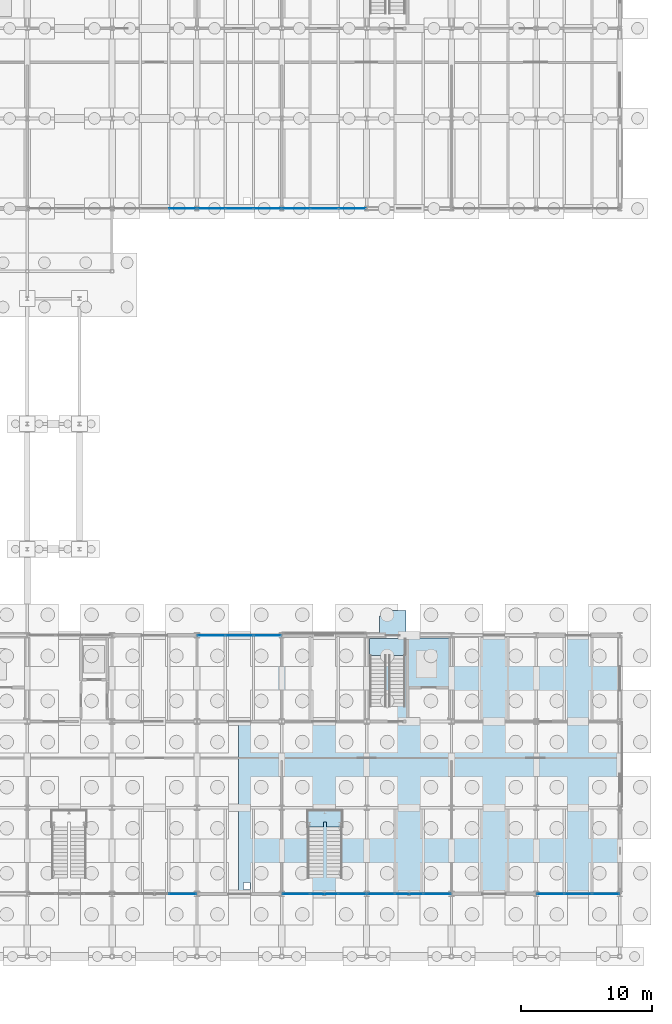
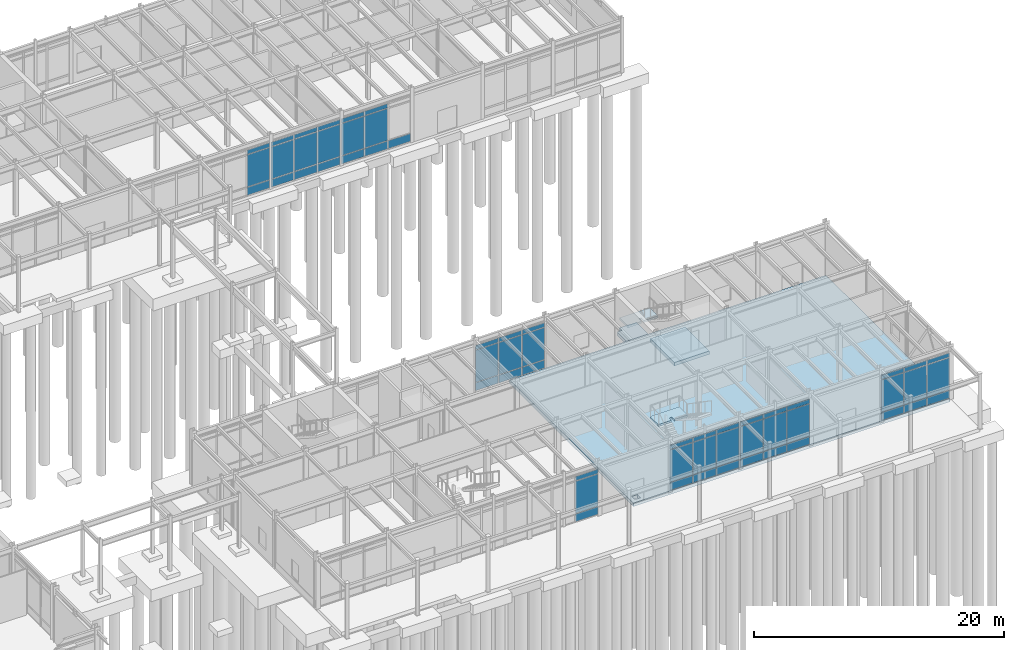
# One storey, part 53 of 82: 58 plates, 5 slabs, 10 elements without a shape of their own.
"""IFC4 building model written with IfcOpenShell, lengths in metres."""

from ifc_helpers import new_model, si_unit, direction, frame, origin, origin_2d, place, context, subcontext, project, spatial, polyline, rectangle, outline, extrude, material, layer, layer_set, type_object, element, aggregate, save


model = new_model("IFC4")

# Units and contexts
model_context = context("Model", 3, precision=1e-05, world=origin(), true_north=direction((0.0, 1.0)))
body_context = subcontext(model_context, "Body", "Model", "MODEL_VIEW")
ifc_project = project(units=[si_unit("LENGTHUNIT", "METRE"), si_unit("AREAUNIT", "SQUARE_METRE"), si_unit("VOLUMEUNIT", "CUBIC_METRE"), si_unit("PLANEANGLEUNIT", "RADIAN"), si_unit("MASSUNIT", "GRAM", prefix="KILO")], contexts=[model_context])

# Site, building, storey
site_placement = place(None, origin())
site = spatial("IfcSite", under=ifc_project, at=site_placement, CompositionType="ELEMENT")
building_placement = place(site_placement, origin())
building = spatial("IfcBuilding", under=site, at=building_placement, Name="Trelmorton Wharf Fire Station", CompositionType="ELEMENT")
storey_placement = place(building_placement, origin())
storey = spatial("IfcBuildingStorey", under=building, at=storey_placement, Name="L00", CompositionType="ELEMENT", Elevation=0.0)

# Curtain wall, plates
ifc_material_1 = material(Name="Anodised aluminium AW-6063", Category="aluminium")
ifc_layer_1 = layer(ifc_material_1, 0.175048828125)
ifc_layer_set_1 = layer_set([ifc_layer_1], Name="Anodised aluminium AW-6063")
curtain_wall_type_1 = type_object("IfcCurtainWallType", Name="CW_CHIC_B", PredefinedType="USERDEFINED", material=ifc_layer_set_1)
curtain_wall_1_placement = place(storey_placement, origin())
curtain_wall_1 = element("IfcCurtainWall", 1, at=curtain_wall_1_placement, inside=storey, type_object=curtain_wall_type_1, Name="CW-V5-L00-031", ObjectType="CHICAGO BAY CURTAIN WALL", PredefinedType="USERDEFINED")
ifc_material_2 = material(Name="Tempered low-E double glazing", Category="glass")
ifc_layer_2 = layer(ifc_material_2, 0.028076171875)
ifc_layer_set_2 = layer_set([ifc_layer_2], Name="Tempered low-E double glazing")
plate_type_1 = type_object("IfcPlateType", Name="CWP_GLAZ_28", PredefinedType="CURTAIN_PANEL", material=ifc_layer_set_2)
plate_1_placement = place(storey_placement, frame((128.8984375, 7.800048828125, 0.06005859375), z_axis=(0.0, 0.0, 1.0), x_axis=(-1.0, 0.0, 0.0)))
plate_1 = element("IfcPlate", 2, at=plate_1_placement, type_object=plate_type_1, Name="CW2 panel 1.1", PredefinedType="CURTAIN_PANEL", context=body_context, shape_type="SweptSolid", body=[
    extrude(rectangle(XDim=2.0732421875, YDim=0.028076171875, at=origin_2d()), origin(), (0.0, 0.0, 1.0), 0.760009765625),
])
plate_2_placement = place(storey_placement, frame((128.8984375, 7.800048828125, 0.8798828125), z_axis=(0.0, 0.0, 1.0), x_axis=(-1.0, 0.0, 0.0)))
plate_2 = element("IfcPlate", 3, at=plate_2_placement, type_object=plate_type_1, Name="CW2 panel 1.2", PredefinedType="CURTAIN_PANEL", context=body_context, shape_type="SweptSolid", body=[
    extrude(rectangle(XDim=2.0732421875, YDim=0.028076171875, at=origin_2d()), origin(), (0.0, 0.0, 1.0), 3.110107421875),
])
plate_3_placement = place(storey_placement, frame((128.8984375, 7.800048828125, 4.0498046875), z_axis=(0.0, 0.0, 1.0), x_axis=(-1.0, 0.0, 0.0)))
plate_3 = element("IfcPlate", 4, at=plate_3_placement, type_object=plate_type_1, Name="CW2 panel 1.3", PredefinedType="CURTAIN_PANEL", context=body_context, shape_type="SweptSolid", body=[
    extrude(rectangle(XDim=2.0732421875, YDim=0.028076171875, at=origin_2d()), origin(), (0.0, 0.0, 1.0), 0.409912109375),
])
aggregate(curtain_wall_1, [plate_1, plate_2, plate_3])

curtain_wall_2_placement = place(storey_placement, origin())
curtain_wall_2 = element("IfcCurtainWall", 5, at=curtain_wall_2_placement, inside=storey, type_object=curtain_wall_type_1, Name="CW-V5-L00-032", ObjectType="CHICAGO BAY CURTAIN WALL", PredefinedType="USERDEFINED")
plate_4_placement = place(storey_placement, frame((141.8984375, 7.800048828125, 0.06005859375), z_axis=(0.0, 0.0, 1.0), x_axis=(-1.0, 0.0, 0.0)))
plate_4 = element("IfcPlate", 6, at=plate_4_placement, type_object=plate_type_1, Name="CW2 panel 1.1", PredefinedType="CURTAIN_PANEL", context=body_context, shape_type="SweptSolid", body=[
    extrude(rectangle(XDim=2.0732421875, YDim=0.028076171875, at=origin_2d()), origin(), (0.0, 0.0, 1.0), 0.760009765625),
])
plate_5_placement = place(storey_placement, frame((141.8984375, 7.800048828125, 0.8798828125), z_axis=(0.0, 0.0, 1.0), x_axis=(-1.0, 0.0, 0.0)))
plate_5 = element("IfcPlate", 7, at=plate_5_placement, type_object=plate_type_1, Name="CW2 panel 1.2", PredefinedType="CURTAIN_PANEL", context=body_context, shape_type="SweptSolid", body=[
    extrude(rectangle(XDim=2.0732421875, YDim=0.028076171875, at=origin_2d()), origin(), (0.0, 0.0, 1.0), 3.110107421875),
])
plate_6_placement = place(storey_placement, frame((141.8984375, 7.800048828125, 4.0498046875), z_axis=(0.0, 0.0, 1.0), x_axis=(-1.0, 0.0, 0.0)))
plate_6 = element("IfcPlate", 8, at=plate_6_placement, type_object=plate_type_1, Name="CW2 panel 1.3", PredefinedType="CURTAIN_PANEL", context=body_context, shape_type="SweptSolid", body=[
    extrude(rectangle(XDim=2.0732421875, YDim=0.028076171875, at=origin_2d()), origin(), (0.0, 0.0, 1.0), 0.409912109375),
])
plate_7_placement = place(storey_placement, frame((139.75, 7.800048828125, 0.06005859375), z_axis=(0.0, 0.0, 1.0), x_axis=(-1.0, 0.0, 0.0)))
plate_7 = element("IfcPlate", 9, at=plate_7_placement, type_object=plate_type_1, Name="CW2 panel 2.1", PredefinedType="CURTAIN_PANEL", context=body_context, shape_type="SweptSolid", body=[
    extrude(rectangle(XDim=2.103271484375, YDim=0.028076171875, at=origin_2d()), origin(), (0.0, 0.0, 1.0), 0.760009765625),
])
plate_8_placement = place(storey_placement, frame((139.75, 7.800048828125, 0.8798828125), z_axis=(0.0, 0.0, 1.0), x_axis=(-1.0, 0.0, 0.0)))
plate_8 = element("IfcPlate", 10, at=plate_8_placement, type_object=plate_type_1, Name="CW2 panel 2.2", PredefinedType="CURTAIN_PANEL", context=body_context, shape_type="SweptSolid", body=[
    extrude(rectangle(XDim=2.103271484375, YDim=0.028076171875, at=origin_2d()), origin(), (0.0, 0.0, 1.0), 3.110107421875),
])
plate_9_placement = place(storey_placement, frame((139.75, 7.800048828125, 4.0498046875), z_axis=(0.0, 0.0, 1.0), x_axis=(-1.0, 0.0, 0.0)))
plate_9 = element("IfcPlate", 11, at=plate_9_placement, type_object=plate_type_1, Name="CW2 panel 2.3", PredefinedType="CURTAIN_PANEL", context=body_context, shape_type="SweptSolid", body=[
    extrude(rectangle(XDim=2.103271484375, YDim=0.028076171875, at=origin_2d()), origin(), (0.0, 0.0, 1.0), 0.409912109375),
])
plate_10_placement = place(storey_placement, frame((137.6015625, 7.800048828125, 0.06005859375), z_axis=(0.0, 0.0, 1.0), x_axis=(-1.0, 0.0, 0.0)))
plate_10 = element("IfcPlate", 12, at=plate_10_placement, type_object=plate_type_1, Name="CW2 panel 3.1", PredefinedType="CURTAIN_PANEL", context=body_context, shape_type="SweptSolid", body=[
    extrude(rectangle(XDim=2.0732421875, YDim=0.028076171875, at=origin_2d()), origin(), (0.0, 0.0, 1.0), 0.760009765625),
])
plate_11_placement = place(storey_placement, frame((137.6015625, 7.800048828125, 0.8798828125), z_axis=(0.0, 0.0, 1.0), x_axis=(-1.0, 0.0, 0.0)))
plate_11 = element("IfcPlate", 13, at=plate_11_placement, type_object=plate_type_1, Name="CW2 panel 3.2", PredefinedType="CURTAIN_PANEL", context=body_context, shape_type="SweptSolid", body=[
    extrude(rectangle(XDim=2.0732421875, YDim=0.028076171875, at=origin_2d()), origin(), (0.0, 0.0, 1.0), 3.110107421875),
])
plate_12_placement = place(storey_placement, frame((137.6015625, 7.800048828125, 4.0498046875), z_axis=(0.0, 0.0, 1.0), x_axis=(-1.0, 0.0, 0.0)))
plate_12 = element("IfcPlate", 14, at=plate_12_placement, type_object=plate_type_1, Name="CW2 panel 3.3", PredefinedType="CURTAIN_PANEL", context=body_context, shape_type="SweptSolid", body=[
    extrude(rectangle(XDim=2.0732421875, YDim=0.028076171875, at=origin_2d()), origin(), (0.0, 0.0, 1.0), 0.409912109375),
])
aggregate(curtain_wall_2, [plate_4, plate_5, plate_6, plate_7, plate_8, plate_9, plate_10, plate_11, plate_12])

ifc_layer_3 = layer(ifc_material_1, 0.159912109375)
ifc_layer_set_3 = layer_set([ifc_layer_3], Name="Anodised aluminium AW-6063")
curtain_wall_type_2 = type_object("IfcCurtainWallType", Name="CW_CHIC_A", PredefinedType="USERDEFINED", material=ifc_layer_set_3)
curtain_wall_3_placement = place(storey_placement, origin())
curtain_wall_3 = element("IfcCurtainWall", 15, at=curtain_wall_3_placement, inside=storey, type_object=curtain_wall_type_2, Name="CW-V5-L00-034", ObjectType="CHICAGO BAY CURTAIN WALL", PredefinedType="USERDEFINED")
plate_13_placement = place(storey_placement, frame((161.31494140625, 7.800048828125, 0.06005859375), z_axis=(0.0, 0.0, 1.0), x_axis=(-1.0, 0.0, 0.0)))
plate_13 = element("IfcPlate", 16, at=plate_13_placement, type_object=plate_type_1, Name="CW1 panel 1.1", PredefinedType="CURTAIN_PANEL", context=body_context, shape_type="SweptSolid", body=[
    extrude(rectangle(XDim=2.0400390625, YDim=0.028076171875, at=origin_2d()), origin(), (0.0, 0.0, 1.0), 0.760009765625),
])
plate_14_placement = place(storey_placement, frame((161.31494140625, 7.800048828125, 0.8798828125), z_axis=(0.0, 0.0, 1.0), x_axis=(-1.0, 0.0, 0.0)))
plate_14 = element("IfcPlate", 17, at=plate_14_placement, type_object=plate_type_1, Name="CW1 panel 1.2", PredefinedType="CURTAIN_PANEL", context=body_context, shape_type="SweptSolid", body=[
    extrude(rectangle(XDim=2.0400390625, YDim=0.028076171875, at=origin_2d()), origin(), (0.0, 0.0, 1.0), 3.110107421875),
])
plate_15_placement = place(storey_placement, frame((161.31494140625, 7.800048828125, 4.0498046875), z_axis=(0.0, 0.0, 1.0), x_axis=(-1.0, 0.0, 0.0)))
plate_15 = element("IfcPlate", 18, at=plate_15_placement, type_object=plate_type_1, Name="CW1 panel 1.3", PredefinedType="CURTAIN_PANEL", context=body_context, shape_type="SweptSolid", body=[
    extrude(rectangle(XDim=2.0400390625, YDim=0.028076171875, at=origin_2d()), origin(), (0.0, 0.0, 1.0), 0.409912109375),
])
plate_16_placement = place(storey_placement, frame((159.199951171875, 7.800048828125, 0.06005859375), z_axis=(0.0, 0.0, 1.0), x_axis=(-1.0, 0.0, 0.0)))
plate_16 = element("IfcPlate", 19, at=plate_16_placement, type_object=plate_type_1, Name="CW1 panel 2.1", PredefinedType="CURTAIN_PANEL", context=body_context, shape_type="SweptSolid", body=[
    extrude(rectangle(XDim=2.070068359375, YDim=0.028076171875, at=origin_2d()), origin(), (0.0, 0.0, 1.0), 0.760009765625),
])
plate_17_placement = place(storey_placement, frame((159.199951171875, 7.800048828125, 0.8798828125), z_axis=(0.0, 0.0, 1.0), x_axis=(-1.0, 0.0, 0.0)))
plate_17 = element("IfcPlate", 20, at=plate_17_placement, type_object=plate_type_1, Name="CW1 panel 2.2", PredefinedType="CURTAIN_PANEL", context=body_context, shape_type="SweptSolid", body=[
    extrude(rectangle(XDim=2.070068359375, YDim=0.028076171875, at=origin_2d()), origin(), (0.0, 0.0, 1.0), 3.110107421875),
])
plate_18_placement = place(storey_placement, frame((159.199951171875, 7.800048828125, 4.0498046875), z_axis=(0.0, 0.0, 1.0), x_axis=(-1.0, 0.0, 0.0)))
plate_18 = element("IfcPlate", 21, at=plate_18_placement, type_object=plate_type_1, Name="CW1 panel 2.3", PredefinedType="CURTAIN_PANEL", context=body_context, shape_type="SweptSolid", body=[
    extrude(rectangle(XDim=2.070068359375, YDim=0.028076171875, at=origin_2d()), origin(), (0.0, 0.0, 1.0), 0.409912109375),
])
plate_19_placement = place(storey_placement, frame((157.0849609375, 7.800048828125, 0.06005859375), z_axis=(0.0, 0.0, 1.0), x_axis=(-1.0, 0.0, 0.0)))
plate_19 = element("IfcPlate", 22, at=plate_19_placement, type_object=plate_type_1, Name="CW1 panel 3.1", PredefinedType="CURTAIN_PANEL", context=body_context, shape_type="SweptSolid", body=[
    extrude(rectangle(XDim=2.0400390625, YDim=0.028076171875, at=origin_2d()), origin(), (0.0, 0.0, 1.0), 0.760009765625),
])
plate_20_placement = place(storey_placement, frame((157.0849609375, 7.800048828125, 0.8798828125), z_axis=(0.0, 0.0, 1.0), x_axis=(-1.0, 0.0, 0.0)))
plate_20 = element("IfcPlate", 23, at=plate_20_placement, type_object=plate_type_1, Name="CW1 panel 3.2", PredefinedType="CURTAIN_PANEL", context=body_context, shape_type="SweptSolid", body=[
    extrude(rectangle(XDim=2.0400390625, YDim=0.028076171875, at=origin_2d()), origin(), (0.0, 0.0, 1.0), 3.110107421875),
])
plate_21_placement = place(storey_placement, frame((157.0849609375, 7.800048828125, 4.0498046875), z_axis=(0.0, 0.0, 1.0), x_axis=(-1.0, 0.0, 0.0)))
plate_21 = element("IfcPlate", 24, at=plate_21_placement, type_object=plate_type_1, Name="CW1 panel 3.3", PredefinedType="CURTAIN_PANEL", context=body_context, shape_type="SweptSolid", body=[
    extrude(rectangle(XDim=2.0400390625, YDim=0.028076171875, at=origin_2d()), origin(), (0.0, 0.0, 1.0), 0.409912109375),
])
aggregate(curtain_wall_3, [plate_13, plate_14, plate_15, plate_16, plate_17, plate_18, plate_19, plate_20, plate_21])

ifc_layer_4 = layer(ifc_material_1, 0.14990234375)
ifc_layer_set_4 = layer_set([ifc_layer_4], Name="Anodised aluminium AW-6063")
curtain_wall_type_3 = type_object("IfcCurtainWallType", Name="CW_UNIT_A", PredefinedType="USERDEFINED", material=ifc_layer_set_4)
curtain_wall_4_placement = place(storey_placement, origin())
curtain_wall_4 = element("IfcCurtainWall", 25, at=curtain_wall_4_placement, inside=storey, type_object=curtain_wall_type_3, Name="CW-V5-L00-037", ObjectType="UNITISED CURTAIN WALL", PredefinedType="USERDEFINED")
plate_22_placement = place(storey_placement, frame((131.1015625, 27.60009765625, 0.06005859375), z_axis=(0.0, 0.0, 1.0), x_axis=(1.0, 0.0, 0.0)))
plate_22 = element("IfcPlate", 26, at=plate_22_placement, type_object=plate_type_1, Name="CW3 panel 1.1", PredefinedType="CURTAIN_PANEL", context=body_context, shape_type="SweptSolid", body=[
    extrude(rectangle(XDim=2.0732421875, YDim=0.028076171875, at=origin_2d()), origin(), (0.0, 0.0, 1.0), 0.760009765625),
])
plate_23_placement = place(storey_placement, frame((131.1015625, 27.60009765625, 0.8798828125), z_axis=(0.0, 0.0, 1.0), x_axis=(1.0, 0.0, 0.0)))
plate_23 = element("IfcPlate", 27, at=plate_23_placement, type_object=plate_type_1, Name="CW3 panel 1.2", PredefinedType="CURTAIN_PANEL", context=body_context, shape_type="SweptSolid", body=[
    extrude(rectangle(XDim=2.0732421875, YDim=0.028076171875, at=origin_2d()), origin(), (0.0, 0.0, 1.0), 3.110107421875),
])
plate_24_placement = place(storey_placement, frame((131.1015625, 27.60009765625, 4.0498046875), z_axis=(0.0, 0.0, 1.0), x_axis=(1.0, 0.0, 0.0)))
plate_24 = element("IfcPlate", 28, at=plate_24_placement, type_object=plate_type_1, Name="CW3 panel 1.3", PredefinedType="CURTAIN_PANEL", context=body_context, shape_type="SweptSolid", body=[
    extrude(rectangle(XDim=2.0732421875, YDim=0.028076171875, at=origin_2d()), origin(), (0.0, 0.0, 1.0), 0.409912109375),
])
plate_25_placement = place(storey_placement, frame((133.25, 27.60009765625, 0.06005859375), z_axis=(0.0, 0.0, 1.0), x_axis=(1.0, 0.0, 0.0)))
plate_25 = element("IfcPlate", 29, at=plate_25_placement, type_object=plate_type_1, Name="CW3 panel 2.1", PredefinedType="CURTAIN_PANEL", context=body_context, shape_type="SweptSolid", body=[
    extrude(rectangle(XDim=2.103271484375, YDim=0.028076171875, at=origin_2d()), origin(), (0.0, 0.0, 1.0), 0.760009765625),
])
plate_26_placement = place(storey_placement, frame((133.25, 27.60009765625, 0.8798828125), z_axis=(0.0, 0.0, 1.0), x_axis=(1.0, 0.0, 0.0)))
plate_26 = element("IfcPlate", 30, at=plate_26_placement, type_object=plate_type_1, Name="CW3 panel 2.2", PredefinedType="CURTAIN_PANEL", context=body_context, shape_type="SweptSolid", body=[
    extrude(rectangle(XDim=2.103271484375, YDim=0.028076171875, at=origin_2d()), origin(), (0.0, 0.0, 1.0), 3.110107421875),
])
plate_27_placement = place(storey_placement, frame((133.25, 27.60009765625, 4.0498046875), z_axis=(0.0, 0.0, 1.0), x_axis=(1.0, 0.0, 0.0)))
plate_27 = element("IfcPlate", 31, at=plate_27_placement, type_object=plate_type_1, Name="CW3 panel 2.3", PredefinedType="CURTAIN_PANEL", context=body_context, shape_type="SweptSolid", body=[
    extrude(rectangle(XDim=2.103271484375, YDim=0.028076171875, at=origin_2d()), origin(), (0.0, 0.0, 1.0), 0.409912109375),
])
plate_28_placement = place(storey_placement, frame((135.3984375, 27.60009765625, 0.06005859375), z_axis=(0.0, 0.0, 1.0), x_axis=(1.0, 0.0, 0.0)))
plate_28 = element("IfcPlate", 32, at=plate_28_placement, type_object=plate_type_1, Name="CW3 panel 3.1", PredefinedType="CURTAIN_PANEL", context=body_context, shape_type="SweptSolid", body=[
    extrude(rectangle(XDim=2.0732421875, YDim=0.028076171875, at=origin_2d()), origin(), (0.0, 0.0, 1.0), 0.760009765625),
])
plate_29_placement = place(storey_placement, frame((135.3984375, 27.60009765625, 0.8798828125), z_axis=(0.0, 0.0, 1.0), x_axis=(1.0, 0.0, 0.0)))
plate_29 = element("IfcPlate", 33, at=plate_29_placement, type_object=plate_type_1, Name="CW3 panel 3.2", PredefinedType="CURTAIN_PANEL", context=body_context, shape_type="SweptSolid", body=[
    extrude(rectangle(XDim=2.0732421875, YDim=0.028076171875, at=origin_2d()), origin(), (0.0, 0.0, 1.0), 3.110107421875),
])
plate_30_placement = place(storey_placement, frame((135.3984375, 27.60009765625, 4.0498046875), z_axis=(0.0, 0.0, 1.0), x_axis=(1.0, 0.0, 0.0)))
plate_30 = element("IfcPlate", 34, at=plate_30_placement, type_object=plate_type_1, Name="CW3 panel 3.3", PredefinedType="CURTAIN_PANEL", context=body_context, shape_type="SweptSolid", body=[
    extrude(rectangle(XDim=2.0732421875, YDim=0.028076171875, at=origin_2d()), origin(), (0.0, 0.0, 1.0), 0.409912109375),
])
aggregate(curtain_wall_4, [plate_22, plate_23, plate_24, plate_25, plate_26, plate_27, plate_28, plate_29, plate_30])

curtain_wall_5_placement = place(storey_placement, origin())
curtain_wall_5 = element("IfcCurtainWall", 35, at=curtain_wall_5_placement, inside=storey, type_object=curtain_wall_type_2, Name="CW-V4-L00-115", ObjectType="CHICAGO BAY CURTAIN WALL", PredefinedType="USERDEFINED")
plate_31_placement = place(storey_placement, frame((128.8984375, 60.300048828125, 0.06005859375), z_axis=(0.0, 0.0, 1.0), x_axis=(-1.0, 0.0, 0.0)))
plate_31 = element("IfcPlate", 36, at=plate_31_placement, type_object=plate_type_1, Name="CW1 panel 1.1", PredefinedType="CURTAIN_PANEL", context=body_context, shape_type="SweptSolid", body=[
    extrude(rectangle(XDim=2.0732421875, YDim=0.028076171875, at=origin_2d()), origin(), (0.0, 0.0, 1.0), 0.760009765625),
])
plate_32_placement = place(storey_placement, frame((128.8984375, 60.300048828125, 0.8798828125), z_axis=(0.0, 0.0, 1.0), x_axis=(-1.0, 0.0, 0.0)))
plate_32 = element("IfcPlate", 37, at=plate_32_placement, type_object=plate_type_1, Name="CW1 panel 1.2", PredefinedType="CURTAIN_PANEL", context=body_context, shape_type="SweptSolid", body=[
    extrude(rectangle(XDim=2.0732421875, YDim=0.028076171875, at=origin_2d()), origin(), (0.0, 0.0, 1.0), 3.110107421875),
])
plate_33_placement = place(storey_placement, frame((128.8984375, 60.300048828125, 4.0498046875), z_axis=(0.0, 0.0, 1.0), x_axis=(-1.0, 0.0, 0.0)))
plate_33 = element("IfcPlate", 38, at=plate_33_placement, type_object=plate_type_1, Name="CW1 panel 1.3", PredefinedType="CURTAIN_PANEL", context=body_context, shape_type="SweptSolid", body=[
    extrude(rectangle(XDim=2.0732421875, YDim=0.028076171875, at=origin_2d()), origin(), (0.0, 0.0, 1.0), 0.409912109375),
])
aggregate(curtain_wall_5, [plate_31, plate_32, plate_33])

curtain_wall_6_placement = place(storey_placement, origin())
curtain_wall_6 = element("IfcCurtainWall", 39, at=curtain_wall_6_placement, inside=storey, type_object=curtain_wall_type_2, Name="CW-V4-L00-116", ObjectType="CHICAGO BAY CURTAIN WALL", PredefinedType="USERDEFINED")
plate_34_placement = place(storey_placement, frame((135.3984375, 60.300048828125, 0.06005859375), z_axis=(0.0, 0.0, 1.0), x_axis=(-1.0, 0.0, 0.0)))
plate_34 = element("IfcPlate", 40, at=plate_34_placement, type_object=plate_type_1, Name="CW1 panel 1.1", PredefinedType="CURTAIN_PANEL", context=body_context, shape_type="SweptSolid", body=[
    extrude(rectangle(XDim=2.0732421875, YDim=0.028076171875, at=origin_2d()), origin(), (0.0, 0.0, 1.0), 0.760009765625),
])
plate_35_placement = place(storey_placement, frame((135.3984375, 60.300048828125, 0.8798828125), z_axis=(0.0, 0.0, 1.0), x_axis=(-1.0, 0.0, 0.0)))
plate_35 = element("IfcPlate", 41, at=plate_35_placement, type_object=plate_type_1, Name="CW1 panel 1.2", PredefinedType="CURTAIN_PANEL", context=body_context, shape_type="SweptSolid", body=[
    extrude(rectangle(XDim=2.0732421875, YDim=0.028076171875, at=origin_2d()), origin(), (0.0, 0.0, 1.0), 3.110107421875),
])
plate_36_placement = place(storey_placement, frame((135.3984375, 60.300048828125, 4.0498046875), z_axis=(0.0, 0.0, 1.0), x_axis=(-1.0, 0.0, 0.0)))
plate_36 = element("IfcPlate", 42, at=plate_36_placement, type_object=plate_type_1, Name="CW1 panel 1.3", PredefinedType="CURTAIN_PANEL", context=body_context, shape_type="SweptSolid", body=[
    extrude(rectangle(XDim=2.0732421875, YDim=0.028076171875, at=origin_2d()), origin(), (0.0, 0.0, 1.0), 0.409912109375),
])
plate_37_placement = place(storey_placement, frame((133.25, 60.300048828125, 0.06005859375), z_axis=(0.0, 0.0, 1.0), x_axis=(-1.0, 0.0, 0.0)))
plate_37 = element("IfcPlate", 43, at=plate_37_placement, type_object=plate_type_1, Name="CW1 panel 2.1", PredefinedType="CURTAIN_PANEL", context=body_context, shape_type="SweptSolid", body=[
    extrude(rectangle(XDim=2.103271484375, YDim=0.028076171875, at=origin_2d()), origin(), (0.0, 0.0, 1.0), 0.760009765625),
])
plate_38_placement = place(storey_placement, frame((133.25, 60.300048828125, 0.8798828125), z_axis=(0.0, 0.0, 1.0), x_axis=(-1.0, 0.0, 0.0)))
plate_38 = element("IfcPlate", 44, at=plate_38_placement, type_object=plate_type_1, Name="CW1 panel 2.2", PredefinedType="CURTAIN_PANEL", context=body_context, shape_type="SweptSolid", body=[
    extrude(rectangle(XDim=2.103271484375, YDim=0.028076171875, at=origin_2d()), origin(), (0.0, 0.0, 1.0), 3.110107421875),
])
plate_39_placement = place(storey_placement, frame((133.25, 60.300048828125, 4.0498046875), z_axis=(0.0, 0.0, 1.0), x_axis=(-1.0, 0.0, 0.0)))
plate_39 = element("IfcPlate", 45, at=plate_39_placement, type_object=plate_type_1, Name="CW1 panel 2.3", PredefinedType="CURTAIN_PANEL", context=body_context, shape_type="SweptSolid", body=[
    extrude(rectangle(XDim=2.103271484375, YDim=0.028076171875, at=origin_2d()), origin(), (0.0, 0.0, 1.0), 0.409912109375),
])
plate_40_placement = place(storey_placement, frame((131.1015625, 60.300048828125, 0.06005859375), z_axis=(0.0, 0.0, 1.0), x_axis=(-1.0, 0.0, 0.0)))
plate_40 = element("IfcPlate", 46, at=plate_40_placement, type_object=plate_type_1, Name="CW1 panel 3.1", PredefinedType="CURTAIN_PANEL", context=body_context, shape_type="SweptSolid", body=[
    extrude(rectangle(XDim=2.0732421875, YDim=0.028076171875, at=origin_2d()), origin(), (0.0, 0.0, 1.0), 0.760009765625),
])
plate_41_placement = place(storey_placement, frame((131.1015625, 60.300048828125, 0.8798828125), z_axis=(0.0, 0.0, 1.0), x_axis=(-1.0, 0.0, 0.0)))
plate_41 = element("IfcPlate", 47, at=plate_41_placement, type_object=plate_type_1, Name="CW1 panel 3.2", PredefinedType="CURTAIN_PANEL", context=body_context, shape_type="SweptSolid", body=[
    extrude(rectangle(XDim=2.0732421875, YDim=0.028076171875, at=origin_2d()), origin(), (0.0, 0.0, 1.0), 3.110107421875),
])
plate_42_placement = place(storey_placement, frame((131.1015625, 60.300048828125, 4.0498046875), z_axis=(0.0, 0.0, 1.0), x_axis=(-1.0, 0.0, 0.0)))
plate_42 = element("IfcPlate", 48, at=plate_42_placement, type_object=plate_type_1, Name="CW1 panel 3.3", PredefinedType="CURTAIN_PANEL", context=body_context, shape_type="SweptSolid", body=[
    extrude(rectangle(XDim=2.0732421875, YDim=0.028076171875, at=origin_2d()), origin(), (0.0, 0.0, 1.0), 0.409912109375),
])
aggregate(curtain_wall_6, [plate_34, plate_35, plate_36, plate_37, plate_38, plate_39, plate_40, plate_41, plate_42])

curtain_wall_7_placement = place(storey_placement, origin())
curtain_wall_7 = element("IfcCurtainWall", 49, at=curtain_wall_7_placement, inside=storey, type_object=curtain_wall_type_2, Name="CW-V5-L00-033", ObjectType="CHICAGO BAY CURTAIN WALL", PredefinedType="USERDEFINED")
ifc_layer_5 = layer(ifc_material_2, 0.028076171875)
ifc_layer_set_5 = layer_set([ifc_layer_5], Name="Tempered low-E double glazing")
plate_type_2 = type_object("IfcPlateType", Name="CWP_GLAZ_38", PredefinedType="CURTAIN_PANEL", material=ifc_layer_set_5)
plate_43_placement = place(storey_placement, frame((148.3984375, 7.800048828125, 0.06005859375), z_axis=(0.0, 0.0, 1.0), x_axis=(-1.0, 0.0, 0.0)))
plate_43 = element("IfcPlate", 50, at=plate_43_placement, type_object=plate_type_2, Name="CW1 panel 1.1", PredefinedType="CURTAIN_PANEL", context=body_context, shape_type="SweptSolid", body=[
    extrude(rectangle(XDim=2.0732421875, YDim=0.028076171875, at=origin_2d()), origin(), (0.0, 0.0, 1.0), 0.760009765625),
])
plate_44_placement = place(storey_placement, frame((148.3984375, 7.800048828125, 0.8798828125), z_axis=(0.0, 0.0, 1.0), x_axis=(-1.0, 0.0, 0.0)))
plate_44 = element("IfcPlate", 51, at=plate_44_placement, type_object=plate_type_2, Name="CW1 panel 1.2", PredefinedType="CURTAIN_PANEL", context=body_context, shape_type="SweptSolid", body=[
    extrude(rectangle(XDim=2.0732421875, YDim=0.028076171875, at=origin_2d()), origin(), (0.0, 0.0, 1.0), 3.110107421875),
])
plate_45_placement = place(storey_placement, frame((148.3984375, 7.800048828125, 4.0498046875), z_axis=(0.0, 0.0, 1.0), x_axis=(-1.0, 0.0, 0.0)))
plate_45 = element("IfcPlate", 52, at=plate_45_placement, type_object=plate_type_2, Name="CW1 panel 1.3", PredefinedType="CURTAIN_PANEL", context=body_context, shape_type="SweptSolid", body=[
    extrude(rectangle(XDim=2.0732421875, YDim=0.028076171875, at=origin_2d()), origin(), (0.0, 0.0, 1.0), 0.409912109375),
])
plate_46_placement = place(storey_placement, frame((146.25, 7.800048828125, 0.06005859375), z_axis=(0.0, 0.0, 1.0), x_axis=(-1.0, 0.0, 0.0)))
plate_46 = element("IfcPlate", 53, at=plate_46_placement, type_object=plate_type_2, Name="CW1 panel 2.1", PredefinedType="CURTAIN_PANEL", context=body_context, shape_type="SweptSolid", body=[
    extrude(rectangle(XDim=2.103271484375, YDim=0.028076171875, at=origin_2d()), origin(), (0.0, 0.0, 1.0), 0.760009765625),
])
plate_47_placement = place(storey_placement, frame((146.25, 7.800048828125, 0.8798828125), z_axis=(0.0, 0.0, 1.0), x_axis=(-1.0, 0.0, 0.0)))
plate_47 = element("IfcPlate", 54, at=plate_47_placement, type_object=plate_type_2, Name="CW1 panel 2.2", PredefinedType="CURTAIN_PANEL", context=body_context, shape_type="SweptSolid", body=[
    extrude(rectangle(XDim=2.103271484375, YDim=0.028076171875, at=origin_2d()), origin(), (0.0, 0.0, 1.0), 3.110107421875),
])
plate_48_placement = place(storey_placement, frame((146.25, 7.800048828125, 4.0498046875), z_axis=(0.0, 0.0, 1.0), x_axis=(-1.0, 0.0, 0.0)))
plate_48 = element("IfcPlate", 55, at=plate_48_placement, type_object=plate_type_2, Name="CW1 panel 2.3", PredefinedType="CURTAIN_PANEL", context=body_context, shape_type="SweptSolid", body=[
    extrude(rectangle(XDim=2.103271484375, YDim=0.028076171875, at=origin_2d()), origin(), (0.0, 0.0, 1.0), 0.409912109375),
])
plate_49_placement = place(storey_placement, frame((144.1015625, 7.800048828125, 0.06005859375), z_axis=(0.0, 0.0, 1.0), x_axis=(-1.0, 0.0, 0.0)))
plate_49 = element("IfcPlate", 56, at=plate_49_placement, type_object=plate_type_2, Name="CW1 panel 3.1", PredefinedType="CURTAIN_PANEL", context=body_context, shape_type="SweptSolid", body=[
    extrude(rectangle(XDim=2.0732421875, YDim=0.028076171875, at=origin_2d()), origin(), (0.0, 0.0, 1.0), 0.760009765625),
])
plate_50_placement = place(storey_placement, frame((144.1015625, 7.800048828125, 0.8798828125), z_axis=(0.0, 0.0, 1.0), x_axis=(-1.0, 0.0, 0.0)))
plate_50 = element("IfcPlate", 57, at=plate_50_placement, type_object=plate_type_2, Name="CW1 panel 3.2", PredefinedType="CURTAIN_PANEL", context=body_context, shape_type="SweptSolid", body=[
    extrude(rectangle(XDim=2.0732421875, YDim=0.028076171875, at=origin_2d()), origin(), (0.0, 0.0, 1.0), 3.110107421875),
])
plate_51_placement = place(storey_placement, frame((144.1015625, 7.800048828125, 4.0498046875), z_axis=(0.0, 0.0, 1.0), x_axis=(-1.0, 0.0, 0.0)))
plate_51 = element("IfcPlate", 58, at=plate_51_placement, type_object=plate_type_2, Name="CW1 panel 3.3", PredefinedType="CURTAIN_PANEL", context=body_context, shape_type="SweptSolid", body=[
    extrude(rectangle(XDim=2.0732421875, YDim=0.028076171875, at=origin_2d()), origin(), (0.0, 0.0, 1.0), 0.409912109375),
])
aggregate(curtain_wall_7, [plate_43, plate_44, plate_45, plate_46, plate_47, plate_48, plate_49, plate_50, plate_51])

curtain_wall_8_placement = place(storey_placement, origin())
curtain_wall_8 = element("IfcCurtainWall", 59, at=curtain_wall_8_placement, inside=storey, type_object=curtain_wall_type_2, Name="CW-V4-L00-117", ObjectType="CHICAGO BAY CURTAIN WALL", PredefinedType="USERDEFINED")
plate_52_placement = place(storey_placement, frame((141.8984375, 60.300048828125, 0.06005859375), z_axis=(0.0, 0.0, 1.0), x_axis=(-1.0, 0.0, 0.0)))
plate_52 = element("IfcPlate", 60, at=plate_52_placement, type_object=plate_type_2, Name="CW1 panel 1.1", PredefinedType="CURTAIN_PANEL", context=body_context, shape_type="SweptSolid", body=[
    extrude(rectangle(XDim=2.0732421875, YDim=0.028076171875, at=origin_2d()), origin(), (0.0, 0.0, 1.0), 0.760009765625),
])
plate_53_placement = place(storey_placement, frame((139.75, 60.300048828125, 0.06005859375), z_axis=(0.0, 0.0, 1.0), x_axis=(-1.0, 0.0, 0.0)))
plate_53 = element("IfcPlate", 61, at=plate_53_placement, type_object=plate_type_2, Name="CW1 panel 2.1", PredefinedType="CURTAIN_PANEL", context=body_context, shape_type="SweptSolid", body=[
    extrude(rectangle(XDim=2.103271484375, YDim=0.028076171875, at=origin_2d()), origin(), (0.0, 0.0, 1.0), 0.760009765625),
])
plate_54_placement = place(storey_placement, frame((139.75, 60.300048828125, 0.8798828125), z_axis=(0.0, 0.0, 1.0), x_axis=(-1.0, 0.0, 0.0)))
plate_54 = element("IfcPlate", 62, at=plate_54_placement, type_object=plate_type_2, Name="CW1 panel 2.2", PredefinedType="CURTAIN_PANEL", context=body_context, shape_type="SweptSolid", body=[
    extrude(rectangle(XDim=2.103271484375, YDim=0.028076171875, at=origin_2d()), origin(), (0.0, 0.0, 1.0), 3.110107421875),
])
plate_55_placement = place(storey_placement, frame((139.75, 60.300048828125, 4.0498046875), z_axis=(0.0, 0.0, 1.0), x_axis=(-1.0, 0.0, 0.0)))
plate_55 = element("IfcPlate", 63, at=plate_55_placement, type_object=plate_type_2, Name="CW1 panel 2.3", PredefinedType="CURTAIN_PANEL", context=body_context, shape_type="SweptSolid", body=[
    extrude(rectangle(XDim=2.103271484375, YDim=0.028076171875, at=origin_2d()), origin(), (0.0, 0.0, 1.0), 0.409912109375),
])
plate_56_placement = place(storey_placement, frame((137.6015625, 60.300048828125, 0.06005859375), z_axis=(0.0, 0.0, 1.0), x_axis=(-1.0, 0.0, 0.0)))
plate_56 = element("IfcPlate", 64, at=plate_56_placement, type_object=plate_type_2, Name="CW1 panel 3.1", PredefinedType="CURTAIN_PANEL", context=body_context, shape_type="SweptSolid", body=[
    extrude(rectangle(XDim=2.0732421875, YDim=0.028076171875, at=origin_2d()), origin(), (0.0, 0.0, 1.0), 0.760009765625),
])
plate_57_placement = place(storey_placement, frame((137.6015625, 60.300048828125, 0.8798828125), z_axis=(0.0, 0.0, 1.0), x_axis=(-1.0, 0.0, 0.0)))
plate_57 = element("IfcPlate", 65, at=plate_57_placement, type_object=plate_type_2, Name="CW1 panel 3.2", PredefinedType="CURTAIN_PANEL", context=body_context, shape_type="SweptSolid", body=[
    extrude(rectangle(XDim=2.0732421875, YDim=0.028076171875, at=origin_2d()), origin(), (0.0, 0.0, 1.0), 3.110107421875),
])
plate_58_placement = place(storey_placement, frame((137.6015625, 60.300048828125, 4.0498046875), z_axis=(0.0, 0.0, 1.0), x_axis=(-1.0, 0.0, 0.0)))
plate_58 = element("IfcPlate", 66, at=plate_58_placement, type_object=plate_type_2, Name="CW1 panel 3.3", PredefinedType="CURTAIN_PANEL", context=body_context, shape_type="SweptSolid", body=[
    extrude(rectangle(XDim=2.0732421875, YDim=0.028076171875, at=origin_2d()), origin(), (0.0, 0.0, 1.0), 0.409912109375),
])
aggregate(curtain_wall_8, [plate_52, plate_53, plate_54, plate_55, plate_56, plate_57, plate_58])

# Slabs
ifc_material_3 = material(Name="Concrete 40 MPa", Category="concrete")
ifc_layer_6 = layer(ifc_material_3, 0.35009765625)
ifc_layer_set_6 = layer_set([ifc_layer_6], Name="Concrete 40 MPa")
slab_type_1 = type_object("IfcSlabType", Name="SL_BASE_350", PredefinedType="BASESLAB", material=ifc_layer_set_6)
slab_1_placement = place(storey_placement, frame((0.0, 0.0, -0.35009765625)))
element("IfcSlab", 67, at=slab_1_placement, inside=storey, type_object=slab_type_1, Name="SL-V5-L00-014", PredefinedType="BASESLAB", context=body_context, shape_type="SweptSolid", body=[
    extrude(outline(polyline([(133.199951171875, 7.800048828125), (133.199951171875, 27.60009765625), (162.39990234375, 27.60009765625), (162.39990234375, 7.800048828125), (133.199951171875, 7.800048828125)]), holes=[polyline([(134.050048828125, 8.64990234375), (133.550048828125, 8.64990234375), (133.550048828125, 8.14990234375), (134.050048828125, 8.14990234375), (134.050048828125, 8.64990234375)])]), origin(), (0.0, 0.0, 1.0), 0.35009765625),
])
slab_2_placement = place(storey_placement, frame((0.0, 0.0, -0.35009765625)))
element("IfcSlab", 68, at=slab_2_placement, inside=storey, type_object=slab_type_1, Name="SL-EXT-EXIT-C4", PredefinedType="BASESLAB", context=body_context, shape_type="SweptSolid", body=[
    extrude(outline(polyline([(146.0, 29.5), (146.0, 27.60009765625), (144.0, 27.60009765625), (144.0, 29.10009765625), (144.449951171875, 29.10009765625), (144.449951171875, 29.5), (146.0, 29.5)])), origin(), (0.0, 0.0, 1.0), 0.35009765625),
])

# Stair, slab
ifc_material_4 = material(Name="Precast concrete 45 MPa", Category="concrete")
stair_type = type_object("IfcStairType", Name="ST_DOG_540", PredefinedType="HALF_TURN_STAIR", material=ifc_material_4)
stair_1_placement = place(storey_placement, origin())
stair_1 = element("IfcStair", 69, at=stair_1_placement, inside=storey, type_object=stair_type, Name="Escape Stair ST5-L00", PredefinedType="HALF_TURN_STAIR")
ifc_layer_7 = layer(ifc_material_4, 0.199951171875)
ifc_layer_set_7 = layer_set([ifc_layer_7], Name="Precast concrete 45 MPa")
slab_type_2 = type_object("IfcSlabType", Name="SL_LAND_180", PredefinedType="LANDING", material=ifc_layer_set_7)
slab_3_placement = place(storey_placement, frame((0.0, 0.0, 2.5)))
slab_3 = element("IfcSlab", 70, at=slab_3_placement, type_object=slab_type_2, Name="ST5-L00 landing 1", PredefinedType="LANDING", context=body_context, shape_type="SweptSolid", body=[
    extrude(outline(polyline([(143.22509765625, 26.06005859375), (144.5, 26.06005859375), (144.5, 26.47998046875), (144.699951171875, 26.47998046875), (144.699951171875, 26.06005859375), (146.0048828125, 26.06005859375), (146.0048828125, 27.375), (143.22509765625, 27.375), (143.22509765625, 26.06005859375)])), origin(), (0.0, 0.0, 1.0), 0.199951171875),
])
aggregate(stair_1, [slab_3])

stair_2_placement = place(storey_placement, origin())
stair_2 = element("IfcStair", 71, at=stair_2_placement, inside=storey, type_object=stair_type, Name="Feature Access Stair STS-05", PredefinedType="HALF_TURN_STAIR")
slab_4_placement = place(storey_placement, frame((0.0, 0.0, 2.5)))
slab_4 = element("IfcSlab", 72, at=slab_4_placement, type_object=slab_type_2, Name="STS-05 landing 1", PredefinedType="LANDING", context=body_context, shape_type="SweptSolid", body=[
    extrude(outline(polyline([(138.43994140625, 12.919921875), (139.679931640625, 12.919921875), (139.679931640625, 13.300048828125), (139.919921875, 13.300048828125), (139.919921875, 12.919921875), (141.159912109375, 12.919921875), (141.159912109375, 14.260009765625), (138.43994140625, 14.260009765625), (138.43994140625, 12.919921875)])), origin(), (0.0, 0.0, 1.0), 0.199951171875),
])
aggregate(stair_2, [slab_4])

# Slab
ifc_material_5 = material(Name="Concrete 45 MPa", Category="concrete")
ifc_layer_8 = layer(ifc_material_5, 0.320068359375)
ifc_layer_set_8 = layer_set([ifc_layer_8], Name="Concrete 45 MPa")
slab_type_3 = type_object("IfcSlabType", Name="SL_PIT_320", PredefinedType="BASESLAB", material=ifc_layer_set_8)
slab_5_placement = place(storey_placement, frame((0.0, 0.0, -0.669921875)))
element("IfcSlab", 73, at=slab_5_placement, inside=storey, type_object=slab_type_3, Name="SL-PIT-C4", PredefinedType="BASESLAB", context=body_context, shape_type="SweptSolid", body=[
    extrude(outline(polyline([(146.06005859375, 23.5400390625), (149.294921875, 23.5400390625), (149.294921875, 27.39501953125), (146.06005859375, 27.39501953125), (146.06005859375, 23.5400390625)])), origin(), (0.0, 0.0, 1.0), 0.31982421875),
])

save(model, "model.ifc")
